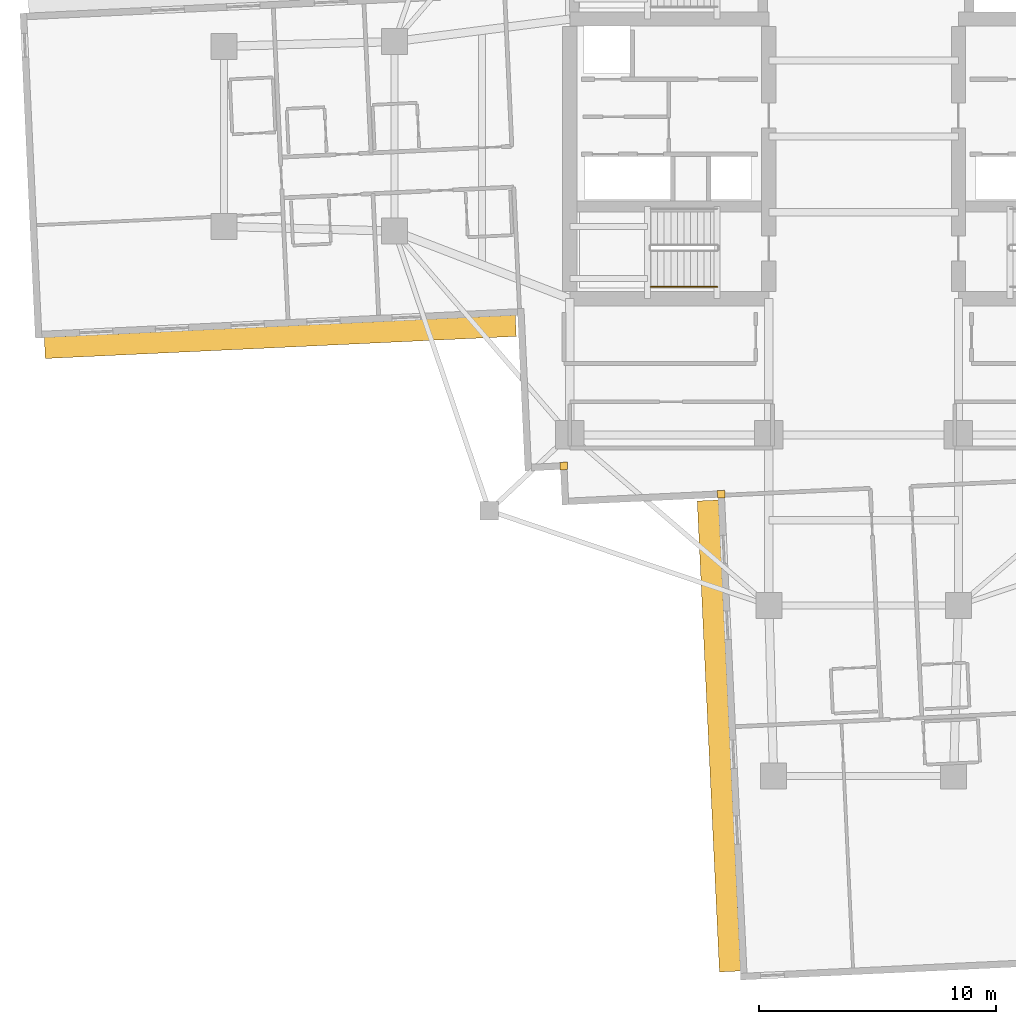
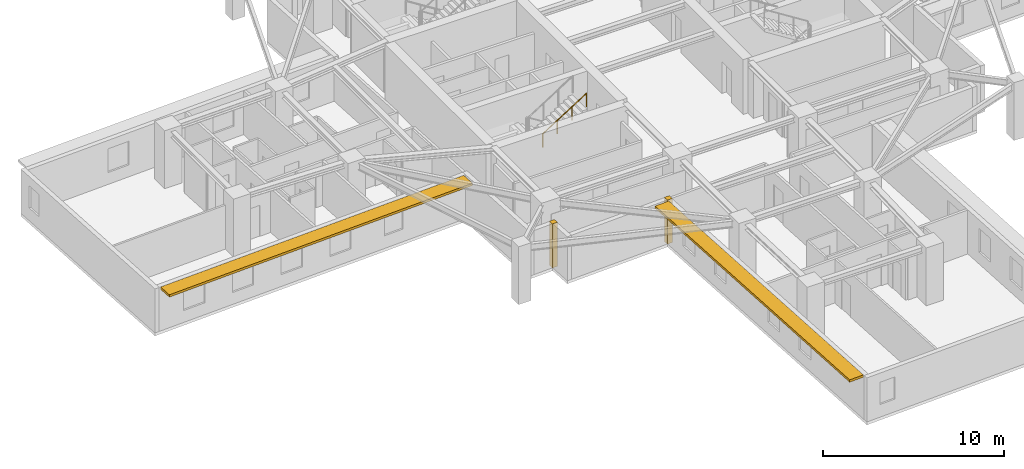
# One storey, part 10 of 14: 2 coverings, 2 shading devices, 1 railing.
"""IFC4 building model written with IfcOpenShell, lengths in metres."""

from ifc_helpers import new_model, si_unit, direction, frame, origin, origin_2d, place, context, subcontext, project, spatial, rectangle, circle, extrude, material, layer, layer_set, type_object, element, save


model = new_model("IFC4")

# Units and contexts
model_context = context("Model", 3, precision=1e-05, world=origin(), true_north=direction((0.0, 1.0)))
body_context = subcontext(model_context, "Body", "Model", "MODEL_VIEW")
ifc_project = project(units=[si_unit("LENGTHUNIT", "METRE"), si_unit("AREAUNIT", "SQUARE_METRE"), si_unit("VOLUMEUNIT", "CUBIC_METRE"), si_unit("PLANEANGLEUNIT", "RADIAN"), si_unit("MASSUNIT", "GRAM", prefix="KILO")], contexts=[model_context])

# Site, building, storey
site_placement = place(None, origin())
site = spatial("IfcSite", under=ifc_project, at=site_placement, CompositionType="ELEMENT")
building_placement = place(site_placement, origin())
building = spatial("IfcBuilding", under=site, at=building_placement, Name="Qingluan Cross Belvedere", CompositionType="ELEMENT")
storey_placement = place(building_placement, frame((0.0, 0.0, 132.0)))
storey = spatial("IfcBuildingStorey", under=building, at=storey_placement, Name="L33", CompositionType="ELEMENT", Elevation=132.0)

# Coverings
ifc_material_1 = material(Name="Precast concrete C45", Category="concrete")
ifc_layer_1 = layer(ifc_material_1, 0.1201171875, Name="ConcreteSpandrelCladding_120")
ifc_layer_set_1 = layer_set([ifc_layer_1], Name="Precast concrete C45")
covering_type = type_object("IfcCoveringType", Name="ConcreteSpandrelCladding_120", PredefinedType="CLADDING", material=ifc_layer_set_1)
for number, where, z_axis, x_axis, name in (
    (1, (-12.65869140625, -13.911865234375, 0.0), (0.0, 0.0, 1.0), (0.998889874962, 0.04710645071, 0.0), "Corner closure L33-SW1"),
    (2, (-6.015380859375, -15.10009765625, 0.0), (0.0, 0.0, 1.0), (0.998889874962, 0.04710645071, 0.0), "Corner closure L33-SW2"),
):
    element("IfcCovering", number, at=place(storey_placement, frame(where, z_axis=z_axis, x_axis=x_axis)), inside=storey, type_object=covering_type, Name=name, PredefinedType="CLADDING", context=body_context, shape_type="SweptSolid", body=[
        extrude(rectangle(XDim=0.320068359375, YDim=0.320068359375, at=origin_2d()), origin(), (0.0, 0.0, 1.0), 2.969970703125),
    ])

# Shading devices
ifc_material_2 = material(Name="Precast concrete C45", Category="concrete")
ifc_layer_2 = layer(ifc_material_2, 0.159912109375, Name="ConcreteSunshadeBand_900")
ifc_layer_set_2 = layer_set([ifc_layer_2], Name="Precast concrete C45")
shading_device_type = type_object("IfcShadingDeviceType", Name="ConcreteSunshadeBand_900", PredefinedType="USERDEFINED", material=ifc_layer_set_2)
for number, where, z_axis, x_axis, name in (
    (3, (-24.618896484375, -8.458984375, 2.7900390625), (0.0, 0.0, 1.0), (0.998889958255, 0.047104684445, 0.0), "Concrete SUNSHADE L33-WB"),
    (4, (-6.104736328125, -25.3056640625, 2.7900390625), (0.0, 0.0, 1.0), (0.04710941444, -0.998889735192, 0.0), "Concrete SUNSHADE L33-SA"),
):
    element("IfcShadingDevice", number, at=place(storey_placement, frame(where, z_axis=z_axis, x_axis=x_axis)), inside=storey, type_object=shading_device_type, Name=name, ObjectType="SUNSHADE", PredefinedType="USERDEFINED", context=body_context, shape_type="SweptSolid", body=[
        extrude(rectangle(XDim=19.89990234375, YDim=0.89990234375, at=origin_2d()), origin(), (0.0, 0.0, 1.0), 0.159912109375),
    ])

# Railing
ifc_material_3 = material(Name="Brushed stainless steel tubular handrail", Category="steel")
railing_type = type_object("IfcRailingType", Name="StairPitchHandrail_900", PredefinedType="HANDRAIL", material=ifc_material_3)
railing_placement = place(storey_placement, frame((-8.97998046875, -6.35009765625, 2.127197265625)))
element("IfcRailing", 5, at=railing_placement, inside=storey, type_object=railing_type, Name="L33 ST1 stair handrail 2", PredefinedType="HANDRAIL", context=body_context, shape_type="SweptSolid", body=[
    extrude(circle(Radius=0.02392578125, at=origin_2d()), frame((0.0, 0.0, 0.8759765625), z_axis=(0.844908973607, 0.0, 0.534910110503), x_axis=(0.0, 1.0, 0.0)), (0.0, 0.0, 1.0), 3.31396484375),
    extrude(circle(Radius=0.02099609375, at=origin_2d()), origin(), (0.0, 0.0, 1.0), 0.851806640625),
    extrude(circle(Radius=0.02099609375, at=origin_2d()), frame((0.933349609375, 0.0, 0.5908203125)), (0.0, 0.0, 1.0), 0.851806640625),
    extrude(circle(Radius=0.02099609375, at=origin_2d()), frame((1.86669921875, 0.0, 1.181884765625)), (0.0, 0.0, 1.0), 0.851806640625),
    extrude(circle(Radius=0.02099609375, at=origin_2d()), frame((2.800048828125, 0.0, 1.772705078125)), (0.0, 0.0, 1.0), 0.851806640625),
])

save(model, "model.ifc")
